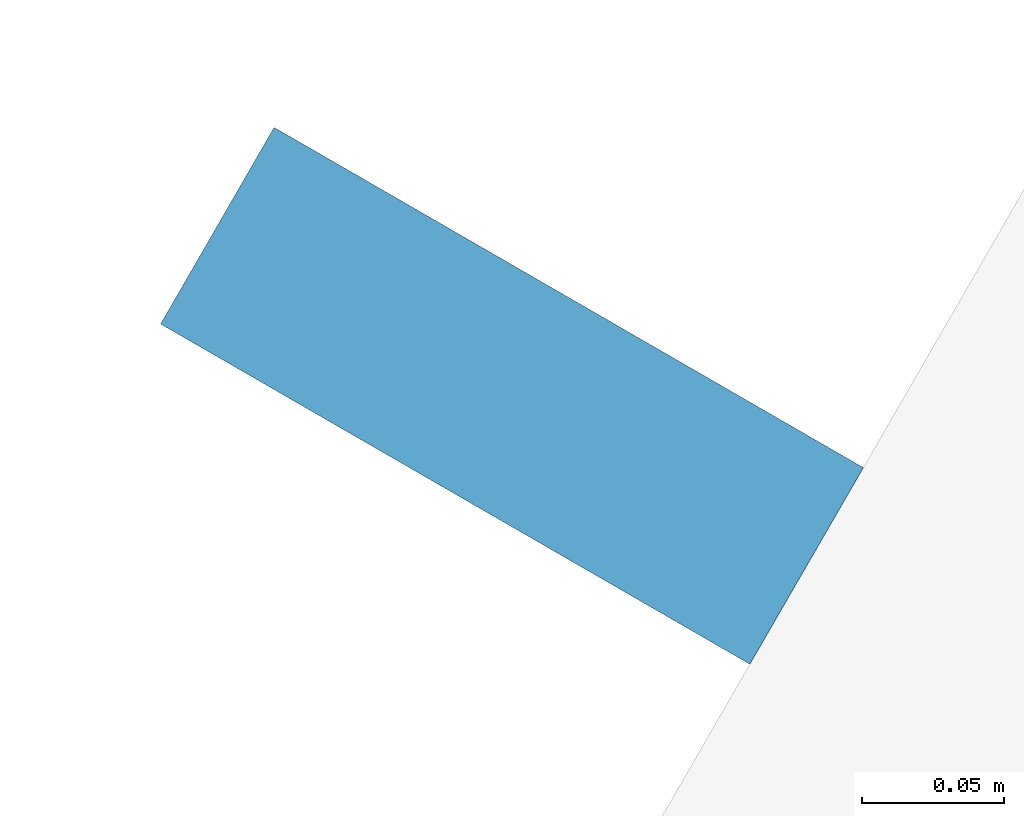
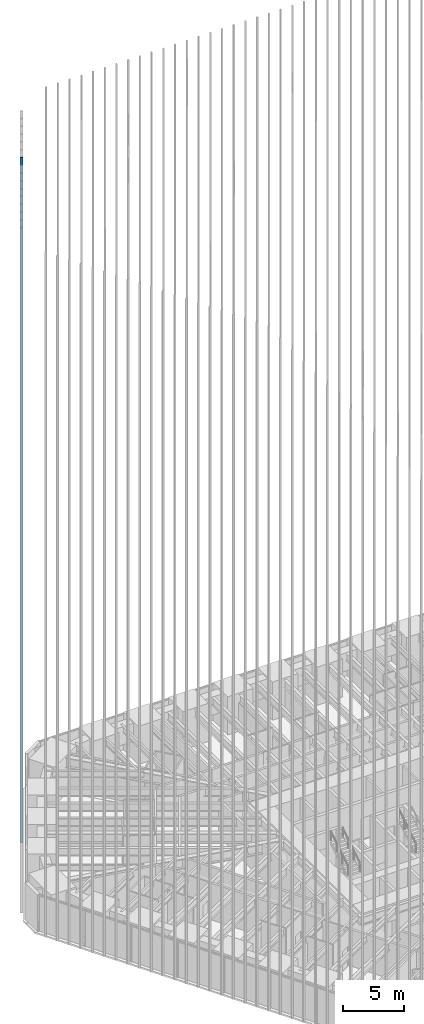
# One storey, part 150 of 256: 1 member, 1 element without a shape of its own.
"""IFC4 building model written with IfcOpenShell, lengths in metres."""

from ifc_helpers import new_model, si_unit, direction, frame, origin, origin_2d, place, context, subcontext, project, spatial, rectangle, extrude, material, material_profile, profile_set, type_object, element, aggregate, save


model = new_model("IFC4")

# Units and contexts
model_context = context("Model", 3, precision=1e-05, world=origin(), true_north=direction((0.0, 1.0)))
body_context = subcontext(model_context, "Body", "Model", "MODEL_VIEW")
ifc_project = project(units=[si_unit("LENGTHUNIT", "METRE"), si_unit("AREAUNIT", "SQUARE_METRE"), si_unit("VOLUMEUNIT", "CUBIC_METRE"), si_unit("PLANEANGLEUNIT", "RADIAN"), si_unit("MASSUNIT", "GRAM", prefix="KILO")], contexts=[model_context])

# Site, building, storey
site_placement = place(None, origin())
site = spatial("IfcSite", under=ifc_project, at=site_placement, CompositionType="ELEMENT")
building_placement = place(site_placement, origin())
building = spatial("IfcBuilding", under=site, at=building_placement, Name="Sandreach Pilgrim Tower", CompositionType="ELEMENT")
storey_placement = place(building_placement, frame((0.0, 0.0, 23.0)))
storey = spatial("IfcBuildingStorey", under=building, at=storey_placement, Name="L04", CompositionType="ELEMENT", Elevation=23.0)

# Curtain wall, member
ifc_material_1 = material(Name="Aluminium framed curtain wall", Category="aluminium")
curtain_wall_type = type_object("IfcCurtainWallType", Name="Hostel tower curtain wall", PredefinedType="NOTDEFINED", material=ifc_material_1)
curtain_wall_placement = place(storey_placement, origin())
curtain_wall = element("IfcCurtainWall", 1, at=curtain_wall_placement, inside=storey, type_object=curtain_wall_type, Name="CW-1 L04 NW", PredefinedType="NOTDEFINED")
ifc_material_2 = material(Name="Extruded terracotta on aluminium core", Category="masonry")
ifc_material_profile = material_profile(ifc_material_2, rectangle(XDim=0.080078125, YDim=0.239990234375, at=origin_2d()), Name="TBW 80X240")
ifc_profile_set = profile_set([ifc_material_profile], Name="Extruded terracotta on aluminium core")
member_type = type_object("IfcMemberType", Name="Terracotta baguette west", PredefinedType="USERDEFINED", material=ifc_profile_set)
member_placement = place(storey_placement, frame((-25.523193359375, 16.654296875, 0.0), z_axis=(0.0, 0.0, 1.0), x_axis=(0.5, 0.866025403784, 0.0)))
member = element("IfcMember", 2, at=member_placement, type_object=member_type, Name="Baguette Z1 NW10", ObjectType="BAGUETTE", PredefinedType="USERDEFINED", context=body_context, shape_type="SweptSolid", body=[
    extrude(rectangle(XDim=0.080078125, YDim=0.239990234375, at=origin_2d()), origin(), (0.0, 0.0, 1.0), 68.239990234375),
])
aggregate(curtain_wall, [member])

save(model, "model.ifc")
